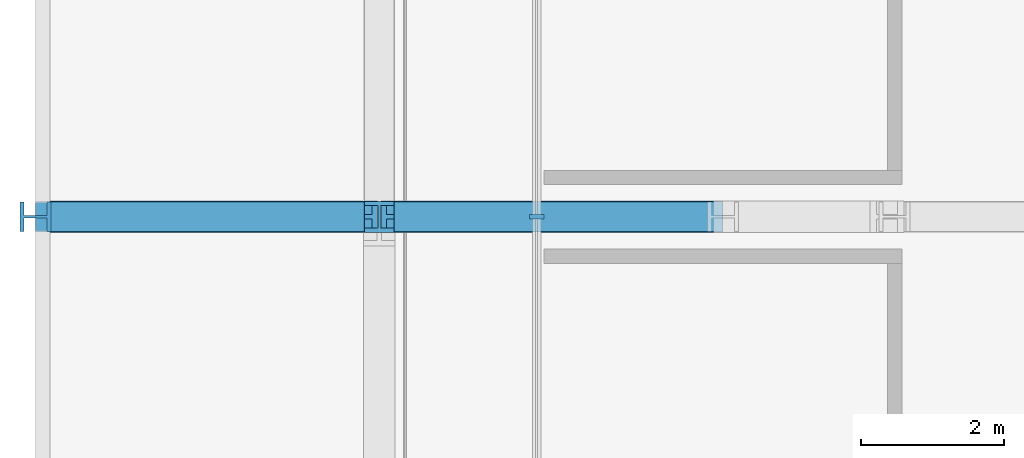
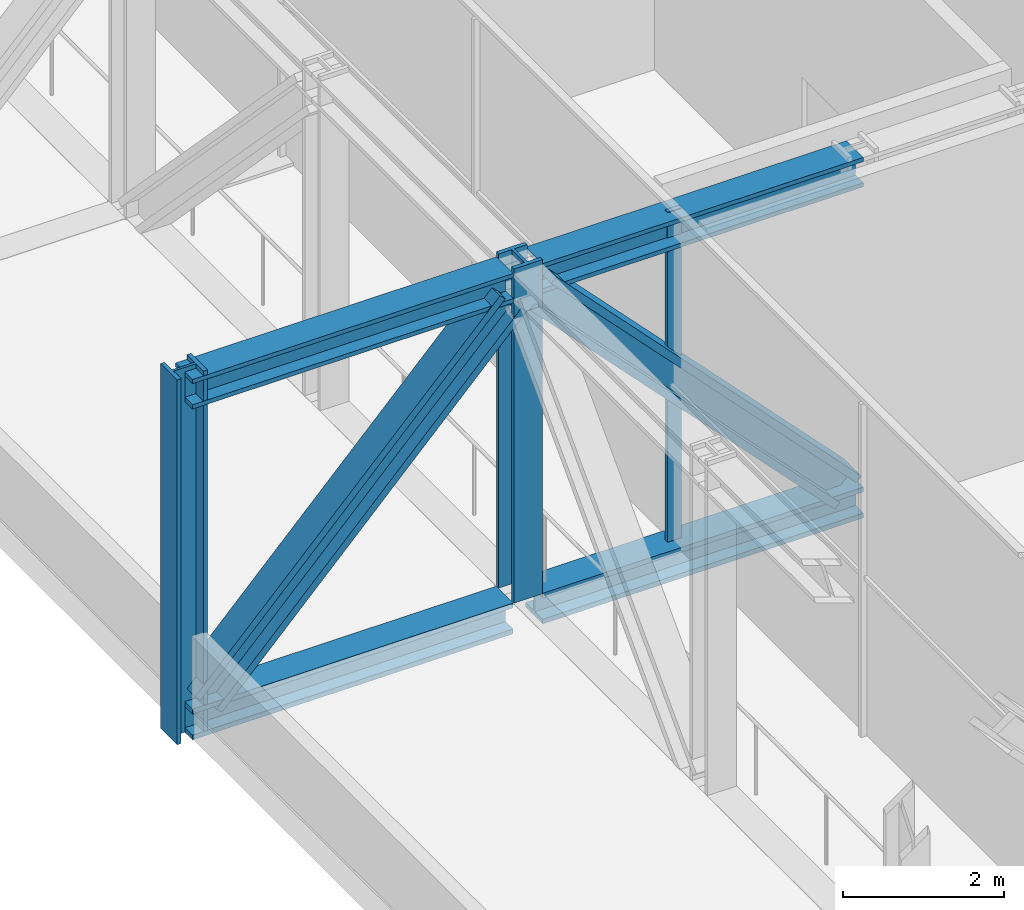
# One storey, part 3 of 30: 9 members, 1 element without a shape of its own.
"""IFC4 building model written with IfcOpenShell, lengths in metres."""

from ifc_helpers import new_model, si_unit, direction, frame, origin, origin_2d, place, context, subcontext, project, spatial, rectangle, i_section, extrude, material, layer, layer_set, material_profile, profile_set, type_object, element, aggregate, save


model = new_model("IFC4")

# Units and contexts
model_context = context("Model", 3, precision=1e-05, world=origin(), true_north=direction((0.0, 1.0)))
body_context = subcontext(model_context, "Body", "Model", "MODEL_VIEW")
ifc_project = project(units=[si_unit("LENGTHUNIT", "METRE"), si_unit("AREAUNIT", "SQUARE_METRE"), si_unit("VOLUMEUNIT", "CUBIC_METRE"), si_unit("PLANEANGLEUNIT", "RADIAN"), si_unit("MASSUNIT", "GRAM", prefix="KILO")], contexts=[model_context])

# Site, building, storey
site_placement = place(None, origin())
site = spatial("IfcSite", under=ifc_project, at=site_placement, CompositionType="ELEMENT")
building_placement = place(site_placement, origin())
building = spatial("IfcBuilding", under=site, at=building_placement, Name="Madar Terraces", CompositionType="ELEMENT")
storey_placement = place(building_placement, frame((0.0, 0.0, 173.5)))
storey = spatial("IfcBuildingStorey", under=building, at=storey_placement, Name="L45", CompositionType="ELEMENT", Elevation=173.5)

# Members
ifc_material_1 = material(Name="Steel ASTM A913 Grade 65", Category="steel")
ifc_material_profile_1 = material_profile(ifc_material_1, i_section(OverallWidth=0.421630859375, OverallDepth=0.46484375, WebThickness=0.044921875, FlangeThickness=0.072509765625, at=origin_2d()), Name="W14x398")
ifc_profile_set_1 = profile_set([ifc_material_profile_1], Name="Steel ASTM A913 Grade 65")
member_type_1 = type_object("IfcMemberType", Name="BC6 W14x398", PredefinedType="CHORD", material=ifc_profile_set_1)
member_1_placement = place(storey_placement, frame((0.0, 24.0, -0.1875), z_axis=(1.0, 0.0, 0.0), x_axis=(0.0, 1.0, 0.0)))
element("IfcMember", 1, at=member_1_placement, inside=storey, type_object=member_type_1, Name="Exoskeleton truss cross W24 bottom chord BC6", PredefinedType="CHORD", context=body_context, shape_type="SweptSolid", body=[
    extrude(i_section(OverallWidth=0.421630859375, OverallDepth=0.46484375, WebThickness=0.044921875, FlangeThickness=0.072509765625, at=origin_2d()), origin(), (0.0, 0.0, 1.0), 4.589111328125),
])
member_2_placement = place(storey_placement, frame((5.0107421875, 24.0, -0.1875), z_axis=(1.0, 0.0, 0.0), x_axis=(0.0, 1.0, 0.0)))
element("IfcMember", 2, at=member_2_placement, inside=storey, type_object=member_type_1, Name="Exoskeleton truss cross W24 bottom chord BC6", PredefinedType="CHORD", context=body_context, shape_type="SweptSolid", body=[
    extrude(i_section(OverallWidth=0.421630859375, OverallDepth=0.46484375, WebThickness=0.044921875, FlangeThickness=0.072509765625, at=origin_2d()), origin(), (0.0, 0.0, 1.0), 4.58935546875),
])

# Curtain wall, member
ifc_material_2 = material(Name="Glass, ceramic frit dark grey, with black aluminium frame", Category="aluminium")
ifc_layer = layer(ifc_material_2, 0.199951171875)
ifc_layer_set = layer_set([ifc_layer], Name="Facade curtain wall, tall glazing")
curtain_wall_type = type_object("IfcCurtainWallType", Name="Facade curtain wall, tall glazing", PredefinedType="NOTDEFINED", material=ifc_layer_set)
curtain_wall_placement = place(storey_placement, origin())
curtain_wall = element("IfcCurtainWall", 3, at=curtain_wall_placement, inside=storey, type_object=curtain_wall_type, Name="Outer skin curtain wall west bay 1", PredefinedType="NOTDEFINED")
ifc_material_3 = material(Name="Aluminium, black anodised", Category="aluminium")
ifc_material_profile_2 = material_profile(ifc_material_3, rectangle(XDim=0.199951171875, YDim=0.06005859375, at=origin_2d()), Name="Facade mullion 60x200")
ifc_profile_set_2 = profile_set([ifc_material_profile_2], Name="Aluminium, black anodised")
member_type_2 = type_object("IfcMemberType", Name="Facade mullion 60x200", PredefinedType="MULLION", material=ifc_profile_set_2)
member_3_placement = place(storey_placement, frame((7.0, 24.0, 0.0), z_axis=(0.0, 0.0, 1.0), x_axis=(1.0, 0.0, 0.0)))
member_3 = element("IfcMember", 4, at=member_3_placement, type_object=member_type_2, Name="Mullion 4", PredefinedType="MULLION", context=body_context, shape_type="SweptSolid", body=[
    extrude(rectangle(XDim=0.199951171875, YDim=0.06005859375, at=origin_2d()), origin(), (0.0, 0.0, 1.0), 5.0400390625),
])
aggregate(curtain_wall, [member_3])

# Members
ifc_material_4 = material(Name="Steel ASTM A913 Grade 65", Category="steel")
ifc_material_profile_3 = material_profile(ifc_material_4, i_section(OverallWidth=0.41650390625, OverallDepth=0.444580078125, WebThickness=0.0390625, FlangeThickness=0.062744140625, at=origin_2d()), Name="W14x342")
ifc_profile_set_3 = profile_set([ifc_material_profile_3], Name="Steel ASTM A913 Grade 65")
member_type_3 = type_object("IfcMemberType", Name="TC6 W14x342", PredefinedType="CHORD", material=ifc_profile_set_3)
for number, where, z_axis, x_axis, name in (
    (5, (0.0, 24.0, 4.807861328125), (1.0, 0.0, 0.0), (0.0, 1.0, 0.0), "Exoskeleton truss cross W24 top chord TC6"),
    (6, (5.00830078125, 24.0, 4.807861328125), (1.0, 0.0, 0.0), (0.0, 1.0, 0.0), "Exoskeleton truss cross W24 top chord TC6"),
):
    element("IfcMember", number, at=place(storey_placement, frame(where, z_axis=z_axis, x_axis=x_axis)), inside=storey, type_object=member_type_3, Name=name, PredefinedType="CHORD", context=body_context, shape_type="SweptSolid", body=[
        extrude(i_section(OverallWidth=0.41650390625, OverallDepth=0.444580078125, WebThickness=0.0390625, FlangeThickness=0.062744140625, at=origin_2d()), origin(), (0.0, 0.0, 1.0), 4.591796875),
    ])
ifc_material_5 = material(Name="Steel ASTM A913 Grade 65", Category="steel")
ifc_material_profile_4 = material_profile(ifc_material_5, i_section(OverallWidth=0.44189453125, OverallDepth=0.53076171875, WebThickness=0.06591796875, FlangeThickness=0.105712890625, at=origin_2d()), Name="W14x605")
ifc_profile_set_4 = profile_set([ifc_material_profile_4], Name="Steel ASTM A913 Grade 65")
member_type_4 = type_object("IfcMemberType", Name="TD6 W14x605", PredefinedType="BRACE", material=ifc_profile_set_4)
for number, where, z_axis, x_axis, name in (
    (7, (0.223388671875, 24.0, 0.044921875), (0.692873133915, 0.0, 0.721059512314), (0.0, 1.0, 0.0), "Exoskeleton truss cross W24 diagonal TD6"),
    (8, (5.013671875, 24.0, 4.58544921875), (0.692873133915, 0.0, -0.721059512314), (0.0, 1.0, 0.0), "Exoskeleton truss cross W24 diagonal TD6"),
):
    element("IfcMember", number, at=place(storey_placement, frame(where, z_axis=z_axis, x_axis=x_axis)), inside=storey, type_object=member_type_4, Name=name, PredefinedType="BRACE", context=body_context, shape_type="SweptSolid", body=[
        extrude(i_section(OverallWidth=0.44189453125, OverallDepth=0.53076171875, WebThickness=0.06591796875, FlangeThickness=0.105712890625, at=origin_2d()), origin(), (0.0, 0.0, 1.0), 6.297119140625),
    ])
ifc_material_6 = material(Name="Steel ASTM A913 Grade 65", Category="steel")
ifc_material_profile_5 = material_profile(ifc_material_6, i_section(OverallWidth=0.411376953125, OverallDepth=0.434326171875, WebThickness=0.035888671875, FlangeThickness=0.057373046875, at=origin_2d()), Name="W14x311")
ifc_profile_set_5 = profile_set([ifc_material_profile_5], Name="Steel ASTM A913 Grade 65")
member_type_5 = type_object("IfcMemberType", Name="TV6 W14x311", PredefinedType="POST", material=ifc_profile_set_5)
member_4_placement = place(storey_placement, frame((4.800048828125, 24.0, 0.044921875), z_axis=(0.0, 0.0, 1.0), x_axis=(1.0, 0.0, 0.0)))
element("IfcMember", 9, at=member_4_placement, inside=storey, type_object=member_type_5, Name="Exoskeleton truss ring post TV6", PredefinedType="POST", context=body_context, shape_type="SweptSolid", body=[
    extrude(i_section(OverallWidth=0.411376953125, OverallDepth=0.434326171875, WebThickness=0.035888671875, FlangeThickness=0.057373046875, at=origin_2d()), origin(), (0.0, 0.0, 1.0), 5.05517578125),
])
member_5_placement = place(storey_placement, frame((0.0, 24.0, -0.419921875), z_axis=(0.0, 0.0, 1.0), x_axis=(0.0, 1.0, 0.0)))
element("IfcMember", 10, at=member_5_placement, inside=storey, type_object=member_type_5, Name="Exoskeleton truss cross W24 post TV6", PredefinedType="POST", context=body_context, shape_type="SweptSolid", body=[
    extrude(i_section(OverallWidth=0.411376953125, OverallDepth=0.434326171875, WebThickness=0.035888671875, FlangeThickness=0.057373046875, at=origin_2d()), origin(), (0.0, 0.0, 1.0), 5.52001953125),
])

save(model, "model.ifc")
